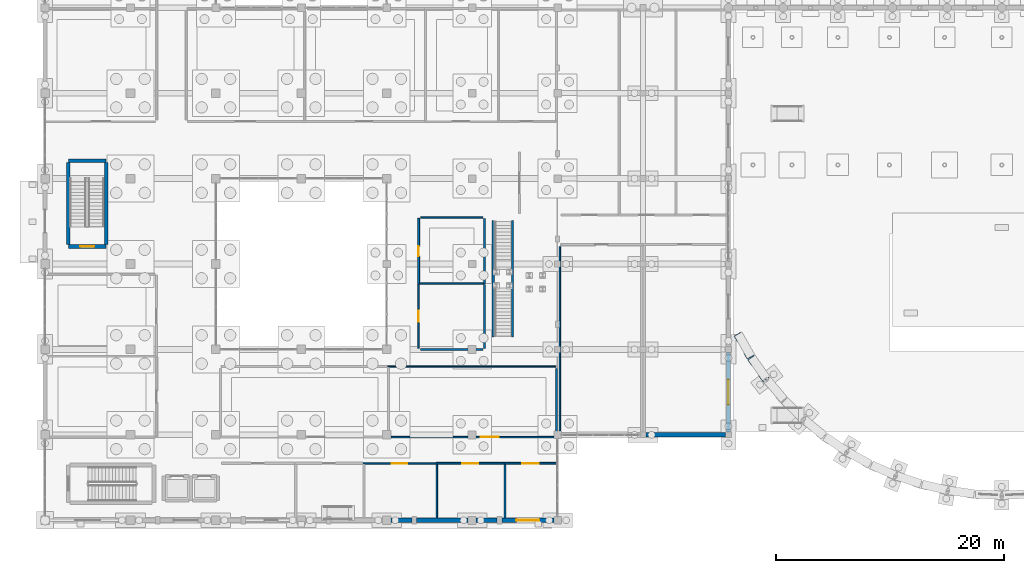
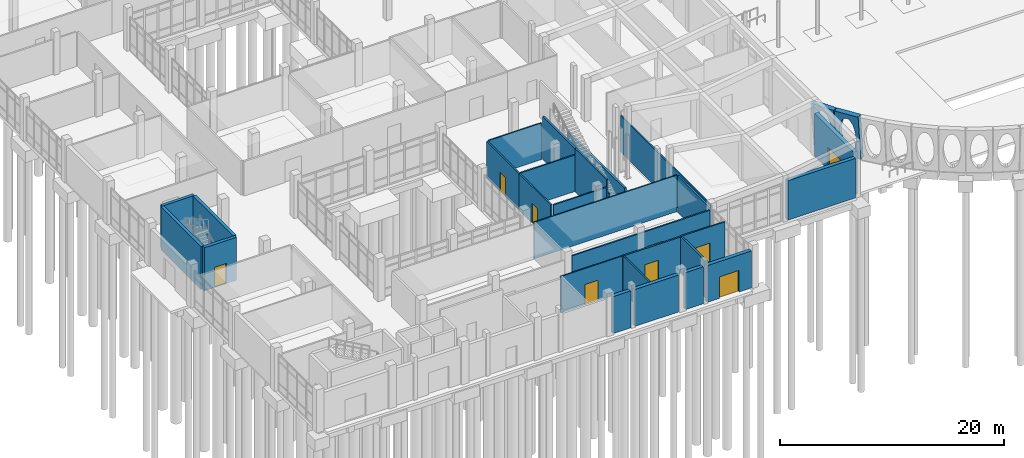
# One storey, part 148 of 173: 30 walls, 9 doors, 11 openings.
"""IFC4 building model written with IfcOpenShell, lengths in metres."""

from ifc_helpers import new_model, si_unit, direction, frame, frame_2d, origin, place, context, subcontext, project, spatial, polyline, rectangle, outline, extrude, material, layer, layer_set, type_object, element, fill, save


model = new_model("IFC4")

# Units and contexts
model_context = context("Model", 3, precision=1e-05, world=origin(), true_north=direction((0.0, 1.0)))
body_context = subcontext(model_context, "Body", "Model", "MODEL_VIEW")
ifc_project = project(units=[si_unit("LENGTHUNIT", "METRE"), si_unit("AREAUNIT", "SQUARE_METRE"), si_unit("VOLUMEUNIT", "CUBIC_METRE"), si_unit("PLANEANGLEUNIT", "RADIAN"), si_unit("MASSUNIT", "GRAM", prefix="KILO")], contexts=[model_context])

# Site, building, storey
site_placement = place(None, origin())
site = spatial("IfcSite", under=ifc_project, at=site_placement, CompositionType="ELEMENT")
building_placement = place(site_placement, origin())
building = spatial("IfcBuilding", under=site, at=building_placement, Name="Mawjan Specialist Oncology Clinic", CompositionType="ELEMENT")
storey_placement = place(building_placement, origin())
storey = spatial("IfcBuildingStorey", under=building, at=storey_placement, Name="L00", CompositionType="ELEMENT", Elevation=0.0)

# Wall, opening, door
ifc_material_1 = material(Name="Precast concrete C40/50", Category="concrete")
ifc_layer_1 = layer(ifc_material_1, 0.3798828125, Name="Precast concrete C40/50", Category="concrete")
ifc_layer_set_1 = layer_set([ifc_layer_1], Name="Precast concrete C40/50")
wall_type_1 = type_object("IfcWallType", Name="EW-380", PredefinedType="SOLIDWALL", material=ifc_layer_set_1)
wall_1_placement = place(storey_placement, frame((44.675048828125, 0.800048828125, 0.0), z_axis=(0.0, 0.0, 1.0), x_axis=(-1.0, 0.0, 0.0)))
wall_1 = element("IfcWall", 1, at=wall_1_placement, inside=storey, type_object=wall_type_1, Name="L00 Coral-Limestone Exterior Wall EW-L00-001", PredefinedType="SOLIDWALL", context=body_context, shape_type="SweptSolid", body=[
    extrude(rectangle(XDim=4.574951171875, YDim=0.3798828125, at=frame_2d((2.28759765625, 0.0))), origin(), (0.0, 0.0, 1.0), 4.034912109375),
])
opening_1_placement = place(wall_1_placement, frame((1.28759765625, 0.0, 0.0)))
opening_1 = element("IfcOpeningElement", 2, at=opening_1_placement, cuts=wall_1, Name="Opening DE-200", PredefinedType="OPENING", context=body_context, shape_type="SweptSolid", body=[
    extrude(rectangle(XDim=2.0, YDim=2.35009765625, at=frame_2d((1.0, 1.175048828125))), frame((0.0, 0.201904296875, 0.0), z_axis=(0.0, -1.0, 0.0), x_axis=(1.0, 0.0, 0.0)), (0.0, 0.0, 1.0), 0.40380859375),
])
ifc_material_2 = material(Name="Insulated marine-grade aluminium entrance assembly", Category="aluminium")
door_type_1 = type_object("IfcDoorType", Name="DE-200", OperationType="DOUBLE_DOOR_SINGLE_SWING", PredefinedType="DOOR", material=ifc_material_2)
door_1_placement = place(opening_1_placement, origin())
door_1 = element("IfcDoor", 3, at=door_1_placement, inside=storey, type_object=door_type_1, Name="Main Pedestrian Final Exit Door E-01", OperationType="DOUBLE_DOOR_SINGLE_SWING", OverallHeight=2.35009765625, OverallWidth=2.0, PredefinedType="DOOR", context=body_context, shape_type="SweptSolid", body=[
    extrude(rectangle(XDim=2.0, YDim=2.35009765625, at=frame_2d((1.0, 1.175048828125))), frame((0.0, 0.02490234375, 0.0), z_axis=(0.0, -1.0, 0.0), x_axis=(1.0, 0.0, 0.0)), (0.0, 0.0, 1.0), 0.050048828125),
])
fill(opening_1, door_1)

# Walls
wall_2_placement = place(storey_placement, frame((39.699951171875, 0.800048828125, 0.0), z_axis=(0.0, 0.0, 1.0), x_axis=(-1.0, 0.0, 0.0)))
element("IfcWall", 4, at=wall_2_placement, inside=storey, type_object=wall_type_1, Name="L00 Coral-Limestone Exterior Wall EW-L00-002", PredefinedType="SOLIDWALL", context=body_context, shape_type="SweptSolid", body=[
    extrude(rectangle(XDim=1.849853515625, YDim=0.3798828125, at=frame_2d((0.9248046875, 0.0))), origin(), (0.0, 0.0, 1.0), 4.034912109375),
])
wall_3_placement = place(storey_placement, frame((37.14990234375, 0.800048828125, 0.0), z_axis=(0.0, 0.0, 1.0), x_axis=(-1.0, 0.0, 0.0)))
element("IfcWall", 5, at=wall_3_placement, inside=storey, type_object=wall_type_1, Name="L00 Coral-Limestone Exterior Wall EW-L00-003", PredefinedType="SOLIDWALL", context=body_context, shape_type="SweptSolid", body=[
    extrude(rectangle(XDim=4.5498046875, YDim=0.3798828125, at=frame_2d((2.27490234375, 0.0))), origin(), (0.0, 0.0, 1.0), 4.034912109375),
])
wall_4_placement = place(storey_placement, frame((32.199951171875, 0.800048828125, 0.0), z_axis=(0.0, 0.0, 1.0), x_axis=(-1.0, 0.0, 0.0)))
element("IfcWall", 6, at=wall_4_placement, inside=storey, type_object=wall_type_1, Name="L00 Coral-Limestone Exterior Wall EW-L00-004", PredefinedType="SOLIDWALL", context=body_context, shape_type="SweptSolid", body=[
    extrude(rectangle(XDim=1.824951171875, YDim=0.3798828125, at=frame_2d((0.91259765625, 0.0))), origin(), (0.0, 0.0, 1.0), 4.034912109375),
])

# Wall, opening, door
wall_5_placement = place(storey_placement, frame((60.0, 15.550048828125, 0.0), z_axis=(0.0, 0.0, 1.0), x_axis=(0.0, -1.0, 0.0)))
wall_5 = element("IfcWall", 7, at=wall_5_placement, inside=storey, type_object=wall_type_1, Name="L00 Coral-Limestone Exterior Wall EW-L00-058", PredefinedType="SOLIDWALL", context=body_context, shape_type="SweptSolid", body=[
    extrude(rectangle(XDim=7.0, YDim=0.3798828125, at=frame_2d((3.5, 0.0))), origin(), (0.0, 0.0, 1.0), 4.699951171875),
])
opening_2_placement = place(wall_5_placement, frame((2.39990234375, 0.0, 0.0)))
opening_2 = element("IfcOpeningElement", 8, at=opening_2_placement, cuts=wall_5, Name="Opening DE-220", PredefinedType="OPENING", context=body_context, shape_type="SweptSolid", body=[
    extrude(rectangle(XDim=2.199951171875, YDim=2.449951171875, at=frame_2d((1.10009765625, 1.22509765625))), frame((0.0, 0.201904296875, 0.0), z_axis=(0.0, -1.0, 0.0), x_axis=(1.0, 0.0, 0.0)), (0.0, 0.0, 1.0), 0.40380859375),
])
ifc_material_3 = material(Name="Insulated marine-grade aluminium entrance assembly", Category="aluminium")
door_type_2 = type_object("IfcDoorType", Name="DE-220", OperationType="DOUBLE_DOOR_SINGLE_SWING", PredefinedType="DOOR", material=ifc_material_3)
door_2_placement = place(opening_2_placement, origin())
door_2 = element("IfcDoor", 9, at=door_2_placement, inside=storey, type_object=door_type_2, Name="Main Pedestrian Final Exit Door E-13", OperationType="DOUBLE_DOOR_SINGLE_SWING", OverallHeight=2.449951171875, OverallWidth=2.199951171875, PredefinedType="DOOR", context=body_context, shape_type="SweptSolid", body=[
    extrude(rectangle(XDim=2.199951171875, YDim=2.449951171875, at=frame_2d((1.10009765625, 1.22509765625))), frame((0.0, 0.02490234375, 0.0), z_axis=(0.0, -1.0, 0.0), x_axis=(1.0, 0.0, 0.0)), (0.0, 0.0, 1.0), 0.050048828125),
])
fill(opening_2, door_2)

# Wall
wall_6_placement = place(storey_placement, frame((59.75, 8.300048828125, 0.0), z_axis=(0.0, 0.0, 1.0), x_axis=(-1.0, 0.0, 0.0)))
element("IfcWall", 10, at=wall_6_placement, inside=storey, type_object=wall_type_1, Name="L00 Coral-Limestone Exterior Wall EW-L00-059", PredefinedType="SOLIDWALL", context=body_context, shape_type="SweptSolid", body=[
    extrude(rectangle(XDim=7.0, YDim=0.3798828125, at=frame_2d((3.5, 0.0))), origin(), (0.0, 0.0, 1.0), 4.321044921875),
])

# Wall, opening
ifc_material_4 = material(Name="Concrete C45/55", Category="concrete")
ifc_layer_2 = layer(ifc_material_4, 0.550048828125, Name="Concrete C45/55", Category="concrete")
ifc_layer_set_2 = layer_set([ifc_layer_2], Name="Concrete C45/55")
wall_type_2 = type_object("IfcWallType", Name="EW-ARC550", PredefinedType="SOLIDWALL", material=ifc_layer_set_2)
wall_7_placement = place(storey_placement, frame((62.003662109375, 15.13916015625, 0.0), z_axis=(0.0, 0.0, 1.0), x_axis=(-0.494337608543, 0.86926999763, 0.0)))
wall_7 = element("IfcWall", 11, at=wall_7_placement, inside=storey, type_object=wall_type_2, Name="Curved Stone-Arc Wall L00 Chord 01", PredefinedType="SOLIDWALL", context=body_context, shape_type="SweptSolid", body=[
    extrude(outline(polyline([(-0.27490234375, 0.0), (0.27490234375, 0.0), (0.8447265625, 5.0), (0.29443359375, 5.0), (-0.27490234375, 0.0)])), frame((0.0, 0.0, 0.0), z_axis=(1.0, 0.0, 0.0), x_axis=(0.0, 1.0, 0.0)), (0.0, 0.0, 1.0), 2.351318359375),
])
opening_3_placement = place(wall_7_placement, origin())
element("IfcOpeningElement", 12, at=opening_3_placement, cuts=wall_7, Name="Elliptical sky opening 1", PredefinedType="OPENING", context=body_context, shape_type="SweptSolid", body=[
    extrude(outline(polyline([(1.99169921875, 2.5), (1.975830078125, 2.889404296875), (1.929443359375, 3.263671875), (1.85400390625, 3.608642578125), (1.752685546875, 3.9111328125), (1.629150390625, 4.1591796875), (1.488037109375, 4.34375), (1.3349609375, 4.457275390625), (1.17578125, 4.49560546875), (1.0166015625, 4.457275390625), (0.863525390625, 4.34375), (0.72265625, 4.1591796875), (0.598876953125, 3.9111328125), (0.49755859375, 3.608642578125), (0.422119140625, 3.263671875), (0.375732421875, 2.889404296875), (0.360107421875, 2.5), (0.375732421875, 2.110595703125), (0.422119140625, 1.736328125), (0.49755859375, 1.391357421875), (0.598876953125, 1.0888671875), (0.72265625, 0.8408203125), (0.863525390625, 0.65625), (1.0166015625, 0.542724609375), (1.17578125, 0.50439453125), (1.3349609375, 0.542724609375), (1.488037109375, 0.65625), (1.629150390625, 0.8408203125), (1.752685546875, 1.0888671875), (1.85400390625, 1.391357421875), (1.929443359375, 1.736328125), (1.975830078125, 2.110595703125), (1.99169921875, 2.5)])), frame((0.0, 0.864501953125, 0.0), z_axis=(0.0, -1.0, 0.0), x_axis=(1.0, 0.0, 0.0)), (0.0, 0.0, 1.0), 1.15966796875),
])

wall_8_placement = place(storey_placement, frame((63.3642578125, 13.1845703125, 0.0), z_axis=(0.0, 0.0, 1.0), x_axis=(-0.571760897927, 0.820420304235, 0.0)))
wall_8 = element("IfcWall", 13, at=wall_8_placement, inside=storey, type_object=wall_type_2, Name="Curved Stone-Arc Wall L00 Chord 02", PredefinedType="SOLIDWALL", context=body_context, shape_type="SweptSolid", body=[
    extrude(outline(polyline([(-0.27490234375, 0.0), (0.27490234375, 0.0), (0.8447265625, 5.0), (0.29443359375, 5.0), (-0.27490234375, 0.0)])), frame((0.0, 0.0, 0.0), z_axis=(1.0, 0.0, 0.0), x_axis=(0.0, 1.0, 0.0)), (0.0, 0.0, 1.0), 2.3515625),
])
opening_4_placement = place(wall_8_placement, origin())
element("IfcOpeningElement", 14, at=opening_4_placement, cuts=wall_8, Name="Elliptical sky opening 1", PredefinedType="OPENING", context=body_context, shape_type="SweptSolid", body=[
    extrude(outline(polyline([(1.99169921875, 2.5), (1.975830078125, 2.889404296875), (1.929443359375, 3.263671875), (1.85400390625, 3.608642578125), (1.752685546875, 3.9111328125), (1.629150390625, 4.1591796875), (1.488037109375, 4.34375), (1.3349609375, 4.457275390625), (1.17578125, 4.49560546875), (1.0166015625, 4.457275390625), (0.863525390625, 4.34375), (0.72265625, 4.1591796875), (0.598876953125, 3.9111328125), (0.49755859375, 3.608642578125), (0.422119140625, 3.263671875), (0.375732421875, 2.889404296875), (0.360107421875, 2.5), (0.375732421875, 2.110595703125), (0.422119140625, 1.736328125), (0.49755859375, 1.391357421875), (0.598876953125, 1.0888671875), (0.72265625, 0.8408203125), (0.863525390625, 0.65625), (1.0166015625, 0.542724609375), (1.17578125, 0.50439453125), (1.3349609375, 0.542724609375), (1.488037109375, 0.65625), (1.629150390625, 0.8408203125), (1.752685546875, 1.0888671875), (1.85400390625, 1.391357421875), (1.929443359375, 1.736328125), (1.975830078125, 2.110595703125), (1.99169921875, 2.5)])), frame((0.0, 0.864501953125, 0.0), z_axis=(0.0, -1.0, 0.0), x_axis=(1.0, 0.0, 0.0)), (0.0, 0.0, 1.0), 1.15966796875),
])

# Walls
ifc_material_5 = material(Name="Concrete C45/55", Category="concrete")
ifc_layer_3 = layer(ifc_material_5, 0.320068359375, Name="Concrete C45/55", Category="concrete")
ifc_layer_set_3 = layer_set([ifc_layer_3], Name="Concrete C45/55")
wall_type_3 = type_object("IfcWallType", Name="SW-350", PredefinedType="SHEAR", material=ifc_layer_set_3)
wall_9_placement = place(storey_placement, frame((5.360107421875, 25.0048828125, 0.0), z_axis=(0.0, 0.0, 1.0), x_axis=(0.0, 1.0, 0.0)))
element("IfcWall", 15, at=wall_9_placement, inside=storey, type_object=wall_type_3, Name="L00 Core K2 Stair Shear Wall 1", PredefinedType="SHEAR", context=body_context, shape_type="SweptSolid", body=[
    extrude(rectangle(XDim=7.190185546875, YDim=0.320068359375, at=frame_2d((3.59521484375, 0.0))), origin(), (0.0, 0.0, 1.0), 4.699951171875),
])
wall_10_placement = place(storey_placement, frame((5.360107421875, 32.360107421875, 0.0), z_axis=(0.0, 0.0, 1.0), x_axis=(-1.0, 0.0, 0.0)))
element("IfcWall", 16, at=wall_10_placement, inside=storey, type_object=wall_type_3, Name="L00 Core K2 Stair Shear Wall 2", PredefinedType="SHEAR", context=body_context, shape_type="SweptSolid", body=[
    extrude(rectangle(XDim=3.320068359375, YDim=0.320068359375, at=frame_2d((1.66015625, 0.0))), origin(), (0.0, 0.0, 1.0), 4.699951171875),
])
wall_11_placement = place(storey_placement, frame((2.0400390625, 32.195068359375, 0.0), z_axis=(0.0, 0.0, 1.0), x_axis=(0.0, -1.0, 0.0)))
element("IfcWall", 17, at=wall_11_placement, inside=storey, type_object=wall_type_3, Name="L00 Core K2 Stair Shear Wall 3", PredefinedType="SHEAR", context=body_context, shape_type="SweptSolid", body=[
    extrude(rectangle(XDim=7.190185546875, YDim=0.320068359375, at=frame_2d((3.59521484375, 0.0))), origin(), (0.0, 0.0, 1.0), 4.699951171875),
])

# Wall, opening, door
wall_12_placement = place(storey_placement, frame((2.0400390625, 24.840087890625, 0.0), z_axis=(0.0, 0.0, 1.0), x_axis=(1.0, 0.0, 0.0)))
wall_12 = element("IfcWall", 18, at=wall_12_placement, inside=storey, type_object=wall_type_3, Name="L00 Core K2 Stair Shear Wall 4", PredefinedType="SHEAR", context=body_context, shape_type="SweptSolid", body=[
    extrude(rectangle(XDim=3.320068359375, YDim=0.320068359375, at=frame_2d((1.66015625, 0.0))), origin(), (0.0, 0.0, 1.0), 4.699951171875),
])
opening_5_placement = place(wall_12_placement, frame((1.034912109375, 0.0, 0.0)))
opening_5 = element("IfcOpeningElement", 19, at=opening_5_placement, cuts=wall_12, Name="Opening FD-90W", PredefinedType="OPENING", context=body_context, shape_type="SweptSolid", body=[
    extrude(rectangle(XDim=1.25, YDim=2.199951171875, at=frame_2d((0.625, 1.10009765625))), frame((0.0, 0.172119140625, 0.0), z_axis=(0.0, -1.0, 0.0), x_axis=(1.0, 0.0, 0.0)), (0.0, 0.0, 1.0), 0.343994140625),
])
ifc_material_6 = material(Name="Stainless-steel fire-rated hospital door", Category="steel")
door_type_3 = type_object("IfcDoorType", Name="FD-90W", OperationType="NOTDEFINED", PredefinedType="DOOR", material=ifc_material_6)
door_3_placement = place(opening_5_placement, origin())
door_3 = element("IfcDoor", 20, at=door_3_placement, inside=storey, type_object=door_type_3, Name="L00 ST-02 Fire Exit Stair Door", OperationType="SINGLE_SWING_LEFT", OverallHeight=2.199951171875, OverallWidth=1.25, PredefinedType="DOOR", context=body_context, shape_type="SweptSolid", body=[
    extrude(rectangle(XDim=1.25, YDim=2.199951171875, at=frame_2d((0.625, 1.10009765625))), frame((0.0, 0.02490234375, 0.0), z_axis=(0.0, -1.0, 0.0), x_axis=(1.0, 0.0, 0.0)), (0.0, 0.0, 1.0), 0.050048828125),
])
fill(opening_5, door_3)

ifc_material_7 = material(Name="Moisture-resistant washroom partition", Category="gypsum")
ifc_layer_4 = layer(ifc_material_7, 0.125, Name="Moisture-resistant washroom partition", Category="gypsum")
ifc_layer_set_4 = layer_set([ifc_layer_4], Name="Moisture-resistant washroom partition")
wall_type_4 = type_object("IfcWallType", Name="WP-125", PredefinedType="PARTITIONING", material=ifc_layer_set_4)
wall_13_placement = place(storey_placement, frame((27.927001953125, 5.800048828125, 0.0), z_axis=(0.0, 0.0, 1.0), x_axis=(1.0, 0.0, 0.0)))
wall_13 = element("IfcWall", 21, at=wall_13_placement, inside=storey, type_object=wall_type_4, Name="L00 Interior Partition W-INT-L00-003-C", PredefinedType="PARTITIONING", context=body_context, shape_type="SweptSolid", body=[
    extrude(rectangle(XDim=6.387939453125, YDim=0.125, at=frame_2d((3.19384765625, 0.0))), origin(), (0.0, 0.0, 1.0), 3.985107421875),
])
opening_6_placement = place(wall_13_placement, frame((2.52392578125, 0.0, 0.0)))
opening_6 = element("IfcOpeningElement", 22, at=opening_6_placement, cuts=wall_13, Name="Opening DC-134", PredefinedType="OPENING", context=body_context, shape_type="SweptSolid", body=[
    extrude(rectangle(XDim=1.340087890625, YDim=2.239990234375, at=frame_2d((0.669921875, 1.1201171875))), frame((0.0, 0.074462890625, 0.0), z_axis=(0.0, -1.0, 0.0), x_axis=(1.0, 0.0, 0.0)), (0.0, 0.0, 1.0), 0.14892578125),
])
ifc_material_8 = material(Name="Acoustic laminate hospital door leaf", Category="wood")
door_type_4 = type_object("IfcDoorType", Name="DC-134", OperationType="NOTDEFINED", PredefinedType="DOOR", material=ifc_material_8)
door_4_placement = place(opening_6_placement, origin())
door_4 = element("IfcDoor", 23, at=door_4_placement, inside=storey, type_object=door_type_4, Name="L00 Outpatient Clinic and Phlebotomy Door", OperationType="SINGLE_SWING_LEFT", OverallHeight=2.239990234375, OverallWidth=1.340087890625, PredefinedType="DOOR", context=body_context, shape_type="SweptSolid", body=[
    extrude(rectangle(XDim=1.340087890625, YDim=2.239990234375, at=frame_2d((0.669921875, 1.1201171875))), frame((0.0, 0.02490234375, 0.0), z_axis=(0.0, -1.0, 0.0), x_axis=(1.0, 0.0, 0.0)), (0.0, 0.0, 1.0), 0.050048828125),
])
fill(opening_6, door_4)

# Walls
wall_14_placement = place(storey_placement, frame((30.0869140625, 14.300048828125, 0.0), z_axis=(0.0, 0.0, 1.0), x_axis=(1.0, 0.0, 0.0)))
element("IfcWall", 24, at=wall_14_placement, inside=storey, type_object=wall_type_4, Name="L00 Interior Partition W-INT-L00-0022-R", PredefinedType="PARTITIONING", context=body_context, shape_type="SweptSolid", body=[
    extrude(rectangle(XDim=14.748046875, YDim=0.125, at=frame_2d((7.3740234375, 0.0))), origin(), (0.0, 0.0, 1.0), 3.985107421875),
])
wall_15_placement = place(storey_placement, frame((32.965087890625, 27.39990234375, 0.0), z_axis=(0.0, 0.0, 1.0), x_axis=(1.0, 0.0, 0.0)))
element("IfcWall", 25, at=wall_15_placement, inside=storey, type_object=wall_type_4, Name="L00 Interior Partition W-INT-L00-011-H", PredefinedType="PARTITIONING", context=body_context, shape_type="SweptSolid", body=[
    extrude(rectangle(XDim=5.469970703125, YDim=0.125, at=frame_2d((2.73486328125, 0.0))), origin(), (0.0, 0.0, 1.0), 3.985107421875),
])
wall_16_placement = place(storey_placement, frame((45.199951171875, 8.636962890625, 0.0), z_axis=(0.0, 0.0, 1.0), x_axis=(0.0, 1.0, 0.0)))
element("IfcWall", 26, at=wall_16_placement, inside=storey, type_object=wall_type_4, Name="L00 Interior Partition W-INT-L00-G01-D0", PredefinedType="PARTITIONING", context=body_context, shape_type="SweptSolid", body=[
    extrude(rectangle(XDim=16.197998046875, YDim=0.125, at=frame_2d((8.09912109375, 0.0))), origin(), (0.0, 0.0, 1.0), 3.985107421875),
])

# Wall, opening, door
ifc_material_9 = material(Name="Acoustic gypsum clinical partition", Category="gypsum")
ifc_layer_5 = layer(ifc_material_9, 0.14990234375, Name="Acoustic gypsum clinical partition", Category="gypsum")
ifc_layer_set_5 = layer_set([ifc_layer_5], Name="Acoustic gypsum clinical partition")
wall_type_5 = type_object("IfcWallType", Name="WP-150", PredefinedType="PARTITIONING", material=ifc_layer_set_5)
wall_17_placement = place(storey_placement, frame((40.326904296875, 5.800048828125, 0.0), z_axis=(0.0, 0.0, 1.0), x_axis=(1.0, 0.0, 0.0)))
wall_17 = element("IfcWall", 27, at=wall_17_placement, inside=storey, type_object=wall_type_5, Name="L00 Interior Partition W-INT-L00-005-C", PredefinedType="PARTITIONING", context=body_context, shape_type="SweptSolid", body=[
    extrude(rectangle(XDim=4.571044921875, YDim=0.14990234375, at=frame_2d((2.28564453125, 0.0))), origin(), (0.0, 0.0, 1.0), 4.034912109375),
])
opening_7_placement = place(wall_17_placement, frame((1.560546875, 0.0, 0.0)))
opening_7 = element("IfcOpeningElement", 28, at=opening_7_placement, cuts=wall_17, Name="Opening DC-145", PredefinedType="OPENING", context=body_context, shape_type="SweptSolid", body=[
    extrude(rectangle(XDim=1.449951171875, YDim=2.260009765625, at=frame_2d((0.72509765625, 1.1298828125))), frame((0.0, 0.0869140625, 0.0), z_axis=(0.0, -1.0, 0.0), x_axis=(1.0, 0.0, 0.0)), (0.0, 0.0, 1.0), 0.173828125),
])
ifc_material_10 = material(Name="Acoustic laminate hospital door leaf", Category="wood")
door_type_5 = type_object("IfcDoorType", Name="DC-145", OperationType="NOTDEFINED", PredefinedType="DOOR", material=ifc_material_10)
door_5_placement = place(opening_7_placement, origin())
door_5 = element("IfcDoor", 29, at=door_5_placement, inside=storey, type_object=door_type_5, Name="L00 Accessible Patient Toilet Door", OperationType="SINGLE_SWING_LEFT", OverallHeight=2.260009765625, OverallWidth=1.449951171875, PredefinedType="DOOR", context=body_context, shape_type="SweptSolid", body=[
    extrude(rectangle(XDim=1.449951171875, YDim=2.260009765625, at=frame_2d((0.72509765625, 1.1298828125))), frame((0.0, 0.02490234375, 0.0), z_axis=(0.0, -1.0, 0.0), x_axis=(1.0, 0.0, 0.0)), (0.0, 0.0, 1.0), 0.050048828125),
])
fill(opening_7, door_5)

wall_18_placement = place(storey_placement, frame((30.386962890625, 8.10009765625, 0.0), z_axis=(0.0, 0.0, 1.0), x_axis=(1.0, 0.0, 0.0)))
wall_18 = element("IfcWall", 30, at=wall_18_placement, inside=storey, type_object=wall_type_5, Name="L00 Interior Partition W-INT-L00-0022-C", PredefinedType="PARTITIONING", context=body_context, shape_type="SweptSolid", body=[
    extrude(rectangle(XDim=14.281005859375, YDim=0.14990234375, at=frame_2d((7.140625, 0.0))), origin(), (0.0, 0.0, 1.0), 3.985107421875),
])
opening_8_placement = place(wall_18_placement, frame((7.886962890625, 0.0, 0.0)))
opening_8 = element("IfcOpeningElement", 31, at=opening_8_placement, cuts=wall_18, Name="Opening DC-156", PredefinedType="OPENING", context=body_context, shape_type="SweptSolid", body=[
    extrude(rectangle(XDim=1.56005859375, YDim=2.300048828125, at=frame_2d((0.780029296875, 1.14990234375))), frame((0.0, 0.0869140625, 0.0), z_axis=(0.0, -1.0, 0.0), x_axis=(1.0, 0.0, 0.0)), (0.0, 0.0, 1.0), 0.173828125),
])
ifc_material_11 = material(Name="Acoustic laminate hospital door leaf", Category="wood")
door_type_6 = type_object("IfcDoorType", Name="DC-156", OperationType="NOTDEFINED", PredefinedType="DOOR", material=ifc_material_11)
door_6_placement = place(opening_8_placement, origin())
door_6 = element("IfcDoor", 32, at=door_6_placement, inside=storey, type_object=door_type_6, Name="L00 Oncology Nurse Counseling Room Door", OperationType="SINGLE_SWING_RIGHT", OverallHeight=2.300048828125, OverallWidth=1.56005859375, PredefinedType="DOOR", context=body_context, shape_type="SweptSolid", body=[
    extrude(rectangle(XDim=1.56005859375, YDim=2.300048828125, at=frame_2d((0.780029296875, 1.14990234375))), frame((0.0, 0.02490234375, 0.0), z_axis=(0.0, -1.0, 0.0), x_axis=(1.0, 0.0, 0.0)), (0.0, 0.0, 1.0), 0.050048828125),
])
fill(opening_8, door_6)

wall_19_placement = place(storey_placement, frame((32.800048828125, 15.885009765625, 0.0), z_axis=(0.0, 0.0, 1.0), x_axis=(0.0, 1.0, 0.0)))
wall_19 = element("IfcWall", 33, at=wall_19_placement, inside=storey, type_object=wall_type_5, Name="L00 Interior Partition W-INT-L00-010-V", PredefinedType="PARTITIONING", context=body_context, shape_type="SweptSolid", body=[
    extrude(rectangle(XDim=5.6298828125, YDim=0.14990234375, at=frame_2d((2.81494140625, 0.0))), origin(), (0.0, 0.0, 1.0), 3.985107421875),
])
opening_9_placement = place(wall_19_placement, frame((2.340087890625, 0.0, 0.0)))
opening_9 = element("IfcOpeningElement", 34, at=opening_9_placement, cuts=wall_19, Name="Opening DA-95", PredefinedType="OPENING", context=body_context, shape_type="SweptSolid", body=[
    extrude(rectangle(XDim=0.949951171875, YDim=2.14990234375, at=frame_2d((0.47509765625, 1.074951171875))), frame((0.0, 0.0869140625, 0.0), z_axis=(0.0, -1.0, 0.0), x_axis=(1.0, 0.0, 0.0)), (0.0, 0.0, 1.0), 0.173828125),
])
ifc_material_12 = material(Name="Acoustic laminate hospital door leaf", Category="wood")
door_type_7 = type_object("IfcDoorType", Name="DA-95", OperationType="NOTDEFINED", PredefinedType="DOOR", material=ifc_material_12)
door_7_placement = place(opening_9_placement, origin())
door_7 = element("IfcDoor", 35, at=door_7_placement, inside=storey, type_object=door_type_7, Name="L00 Radiation Consultation Suite Door", OperationType="SINGLE_SWING_LEFT", OverallHeight=2.14990234375, OverallWidth=0.949951171875, PredefinedType="DOOR", context=body_context, shape_type="SweptSolid", body=[
    extrude(rectangle(XDim=0.949951171875, YDim=2.14990234375, at=frame_2d((0.47509765625, 1.074951171875))), frame((0.0, 0.02490234375, 0.0), z_axis=(0.0, -1.0, 0.0), x_axis=(1.0, 0.0, 0.0)), (0.0, 0.0, 1.0), 0.050048828125),
])
fill(opening_9, door_7)

# Walls
wall_20_placement = place(storey_placement, frame((34.39990234375, 1.001953125, 0.0), z_axis=(0.0, 0.0, 1.0), x_axis=(0.0, 1.0, 0.0)))
element("IfcWall", 36, at=wall_20_placement, inside=storey, type_object=wall_type_5, Name="L00 Interior Partition W-INT-L00-003-D", PredefinedType="PARTITIONING", context=body_context, shape_type="SweptSolid", body=[
    extrude(rectangle(XDim=4.7060546875, YDim=0.14990234375, at=frame_2d((2.35302734375, 0.0))), origin(), (0.0, 0.0, 1.0), 4.034912109375),
])
wall_21_placement = place(storey_placement, frame((32.965087890625, 15.800048828125, 0.0), z_axis=(0.0, 0.0, 1.0), x_axis=(1.0, 0.0, 0.0)))
element("IfcWall", 37, at=wall_21_placement, inside=storey, type_object=wall_type_5, Name="L00 Interior Partition W-INT-L00-010-H0", PredefinedType="PARTITIONING", context=body_context, shape_type="SweptSolid", body=[
    extrude(rectangle(XDim=5.469970703125, YDim=0.14990234375, at=frame_2d((2.73486328125, 0.0))), origin(), (0.0, 0.0, 1.0), 3.985107421875),
])
wall_22_placement = place(storey_placement, frame((32.89208984375, 21.60009765625, 0.0), z_axis=(0.0, 0.0, 1.0), x_axis=(1.0, 0.0, 0.0)))
element("IfcWall", 38, at=wall_22_placement, inside=storey, type_object=wall_type_5, Name="L00 Interior Partition W-INT-L00-010-H", PredefinedType="PARTITIONING", context=body_context, shape_type="SweptSolid", body=[
    extrude(rectangle(XDim=5.60595703125, YDim=0.14990234375, at=frame_2d((2.802978515625, 0.0))), origin(), (0.0, 0.0, 1.0), 3.985107421875),
])

# Wall, opening, door
ifc_material_13 = material(Name="Acoustic clinical twin-stud partition", Category="gypsum")
ifc_layer_6 = layer(ifc_material_13, 0.159912109375, Name="Acoustic clinical twin-stud partition", Category="gypsum")
ifc_layer_set_6 = layer_set([ifc_layer_6], Name="Acoustic clinical twin-stud partition")
wall_type_6 = type_object("IfcWallType", Name="WP-160", PredefinedType="PARTITIONING", material=ifc_layer_set_6)
wall_23_placement = place(storey_placement, frame((34.326904296875, 5.800048828125, 0.0), z_axis=(0.0, 0.0, 1.0), x_axis=(1.0, 0.0, 0.0)))
wall_23 = element("IfcWall", 39, at=wall_23_placement, inside=storey, type_object=wall_type_6, Name="L00 Interior Partition W-INT-L00-004-C", PredefinedType="PARTITIONING", context=body_context, shape_type="SweptSolid", body=[
    extrude(rectangle(XDim=5.988037109375, YDim=0.159912109375, at=frame_2d((2.994140625, 0.0))), origin(), (0.0, 0.0, 1.0), 3.985107421875),
])
opening_10_placement = place(wall_23_placement, frame((2.2939453125, 0.0, 0.0)))
opening_10 = element("IfcOpeningElement", 40, at=opening_10_placement, cuts=wall_23, Name="Opening DC-140", PredefinedType="OPENING", context=body_context, shape_type="SweptSolid", body=[
    extrude(rectangle(XDim=1.39990234375, YDim=2.25, at=frame_2d((0.699951171875, 1.125))), frame((0.0, 0.092041015625, 0.0), z_axis=(0.0, -1.0, 0.0), x_axis=(1.0, 0.0, 0.0)), (0.0, 0.0, 1.0), 0.183837890625),
])
ifc_material_14 = material(Name="Acoustic laminate hospital door leaf", Category="wood")
door_type_8 = type_object("IfcDoorType", Name="DC-140", OperationType="NOTDEFINED", PredefinedType="DOOR", material=ifc_material_14)
door_8_placement = place(opening_10_placement, origin())
door_8 = element("IfcDoor", 41, at=door_8_placement, inside=storey, type_object=door_type_8, Name="L00 Patient Registration Lounge Door", OperationType="SINGLE_SWING_RIGHT", OverallHeight=2.25, OverallWidth=1.39990234375, PredefinedType="DOOR", context=body_context, shape_type="SweptSolid", body=[
    extrude(rectangle(XDim=1.39990234375, YDim=2.25, at=frame_2d((0.699951171875, 1.125))), frame((0.0, 0.02490234375, 0.0), z_axis=(0.0, -1.0, 0.0), x_axis=(1.0, 0.0, 0.0)), (0.0, 0.0, 1.0), 0.050048828125),
])
fill(opening_10, door_8)

wall_24_placement = place(storey_placement, frame((32.800048828125, 21.527099609375, 0.0), z_axis=(0.0, 0.0, 1.0), x_axis=(0.0, 1.0, 0.0)))
wall_24 = element("IfcWall", 42, at=wall_24_placement, inside=storey, type_object=wall_type_6, Name="L00 Interior Partition W-INT-L00-011-V", PredefinedType="PARTITIONING", context=body_context, shape_type="SweptSolid", body=[
    extrude(rectangle(XDim=5.787841796875, YDim=0.159912109375, at=frame_2d((2.89404296875, 0.0))), origin(), (0.0, 0.0, 1.0), 3.985107421875),
])
opening_11_placement = place(wall_24_placement, frame((2.43408203125, 0.0, 0.0)))
opening_11 = element("IfcOpeningElement", 43, at=opening_11_placement, cuts=wall_24, Name="Opening DI-92", PredefinedType="OPENING", context=body_context, shape_type="SweptSolid", body=[
    extrude(rectangle(XDim=0.919921875, YDim=2.10009765625, at=frame_2d((0.4599609375, 1.050048828125))), frame((0.0, 0.092041015625, 0.0), z_axis=(0.0, -1.0, 0.0), x_axis=(1.0, 0.0, 0.0)), (0.0, 0.0, 1.0), 0.183837890625),
])
ifc_material_15 = material(Name="Acoustic laminate hospital door leaf", Category="wood")
door_type_9 = type_object("IfcDoorType", Name="DI-92", OperationType="NOTDEFINED", PredefinedType="DOOR", material=ifc_material_15)
door_9_placement = place(opening_11_placement, origin())
door_9 = element("IfcDoor", 44, at=door_9_placement, inside=storey, type_object=door_type_9, Name="L00 Patient Navigation Office Door", OperationType="SINGLE_SWING_RIGHT", OverallHeight=2.10009765625, OverallWidth=0.919921875, PredefinedType="DOOR", context=body_context, shape_type="SweptSolid", body=[
    extrude(rectangle(XDim=0.919921875, YDim=2.10009765625, at=frame_2d((0.4599609375, 1.050048828125))), frame((0.0, 0.02490234375, 0.0), z_axis=(0.0, -1.0, 0.0), x_axis=(1.0, 0.0, 0.0)), (0.0, 0.0, 1.0), 0.050048828125),
])
fill(opening_11, door_9)

# Walls
ifc_material_16 = material(Name="Lead-lined radiation-shielded clinical partition", Category="gypsum")
ifc_layer_7 = layer(ifc_material_16, 0.179931640625, Name="Lead-lined radiation-shielded clinical partition", Category="gypsum")
ifc_layer_set_7 = layer_set([ifc_layer_7], Name="Lead-lined radiation-shielded clinical partition")
wall_type_7 = type_object("IfcWallType", Name="WP-180", PredefinedType="PARTITIONING", material=ifc_layer_set_7)
wall_25_placement = place(storey_placement, frame((38.60009765625, 15.885009765625, 0.0), z_axis=(0.0, 0.0, 1.0), x_axis=(0.0, 1.0, 0.0)))
element("IfcWall", 45, at=wall_25_placement, inside=storey, type_object=wall_type_7, Name="L00 Interior Partition W-INT-L00-010-VR", PredefinedType="PARTITIONING", context=body_context, shape_type="SweptSolid", body=[
    extrude(rectangle(XDim=5.6298828125, YDim=0.179931640625, at=frame_2d((2.81494140625, 0.0))), origin(), (0.0, 0.0, 1.0), 4.699951171875),
])
wall_26_placement = place(storey_placement, frame((38.60009765625, 21.527099609375, 0.0), z_axis=(0.0, 0.0, 1.0), x_axis=(0.0, 1.0, 0.0)))
element("IfcWall", 46, at=wall_26_placement, inside=storey, type_object=wall_type_7, Name="L00 Interior Partition W-INT-L00-011-VR", PredefinedType="PARTITIONING", context=body_context, shape_type="SweptSolid", body=[
    extrude(rectangle(XDim=5.787841796875, YDim=0.179931640625, at=frame_2d((2.89404296875, 0.0))), origin(), (0.0, 0.0, 1.0), 4.699951171875),
])
wall_27_placement = place(storey_placement, frame((40.39990234375, 1.001953125, 0.0), z_axis=(0.0, 0.0, 1.0), x_axis=(0.0, 1.0, 0.0)))
element("IfcWall", 47, at=wall_27_placement, inside=storey, type_object=wall_type_7, Name="L00 Interior Partition W-INT-L00-004-D", PredefinedType="PARTITIONING", context=body_context, shape_type="SweptSolid", body=[
    extrude(rectangle(XDim=4.7109375, YDim=0.179931640625, at=frame_2d((2.35546875, 0.0))), origin(), (0.0, 0.0, 1.0), 4.034912109375),
])
wall_28_placement = place(storey_placement, frame((44.919921875, 8.431884765625, 0.0), z_axis=(0.0, 0.0, 1.0), x_axis=(0.0, 1.0, 0.0)))
element("IfcWall", 48, at=wall_28_placement, inside=storey, type_object=wall_type_7, Name="L00 Interior Partition W-INT-L00-0022-D", PredefinedType="PARTITIONING", context=body_context, shape_type="SweptSolid", body=[
    extrude(rectangle(XDim=5.703125, YDim=0.179931640625, at=frame_2d((2.8515625, 0.0))), origin(), (0.0, 0.0, 1.0), 3.985107421875),
])
ifc_material_17 = material(Name="Insulated fire-rated gypsum stud partition", Category="gypsum")
ifc_layer_8 = layer(ifc_material_17, 0.199951171875, Name="Insulated fire-rated gypsum stud partition", Category="gypsum")
ifc_layer_set_8 = layer_set([ifc_layer_8], Name="Insulated fire-rated gypsum stud partition")
wall_type_8 = type_object("IfcWallType", Name="WS-60", PredefinedType="PARTITIONING", material=ifc_layer_set_8)
for number, where, z_axis, x_axis, name in (
    (49, (39.35498046875, 16.89990234375, 0.0), (0.0, 0.0, 1.0), (0.0, 1.0, 0.0), "ST-10 Communicating Stair Flank Wall W"),
    (50, (41.044921875, 16.89990234375, 0.0), (0.0, 0.0, 1.0), (0.0, 1.0, 0.0), "ST-10 Communicating Stair Flank Wall E"),
):
    element("IfcWall", number, at=place(storey_placement, frame(where, z_axis=z_axis, x_axis=x_axis)), inside=storey, type_object=wall_type_8, Name=name, PredefinedType="PARTITIONING", context=body_context, shape_type="SweptSolid", body=[
        extrude(rectangle(XDim=10.2001953125, YDim=0.199951171875, at=frame_2d((5.10009765625, 0.0))), origin(), (0.0, 0.0, 1.0), 2.300048828125),
    ])

save(model, "model.ifc")
